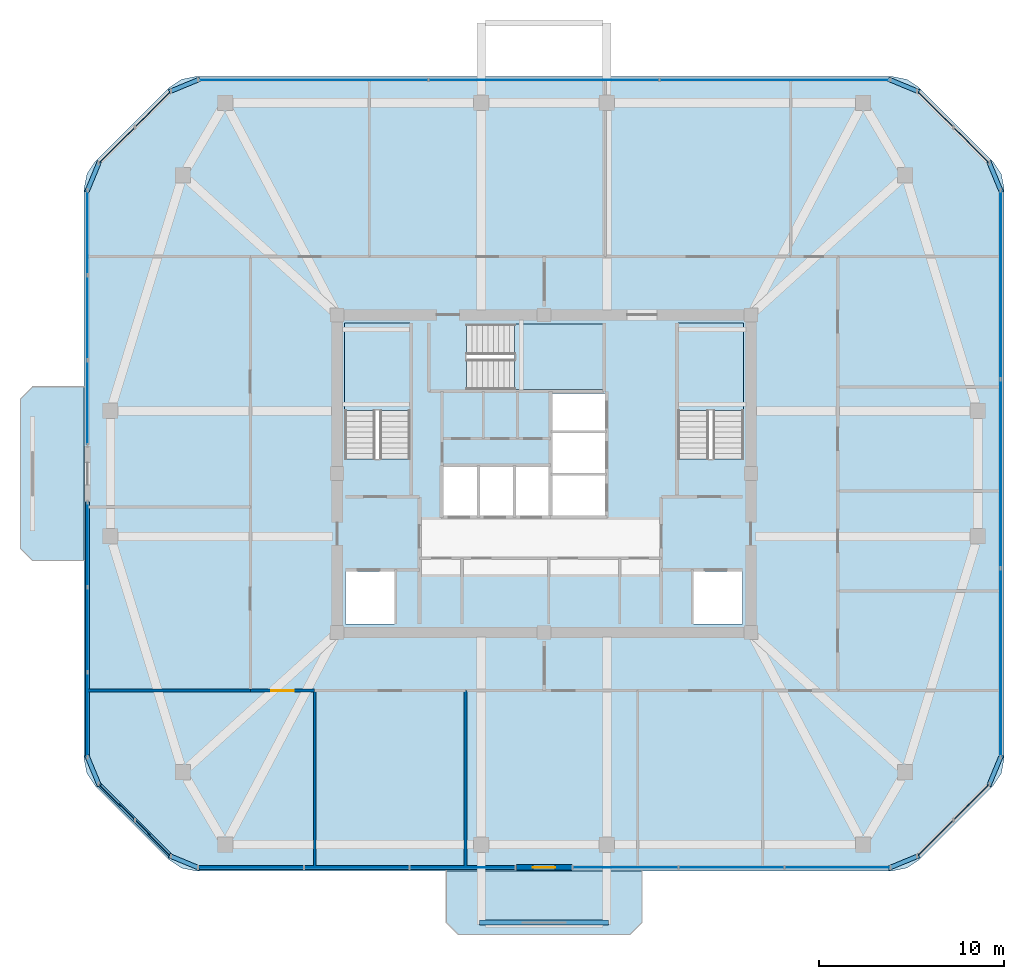
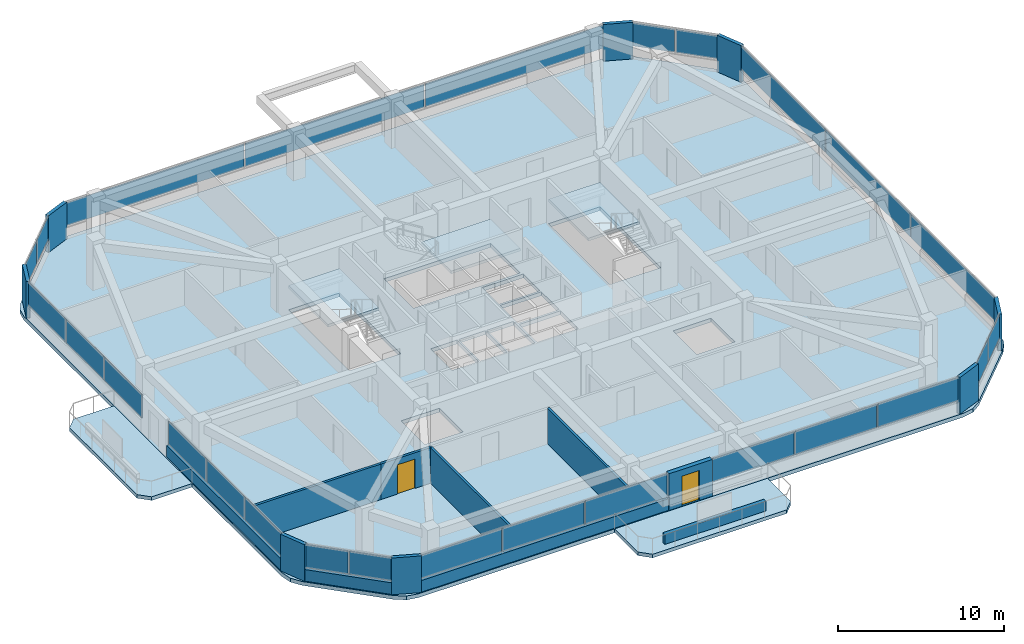
# One storey, part 7 of 12: 34 plates, 9 walls, 6 slabs, 2 doors, 2 openings, 13 elements without a shape of their own.
"""IFC4 building model written with IfcOpenShell, lengths in metres."""

import ifcopenshell
import ifcopenshell.guid

model = None  # the IFC model being written
_history = None  # IfcOwnerHistory: only IFC2X3 demands one
_inside = {}  # id of a spatial element -> (the spatial element, [elements in it])
_under = {}  # id of a project, library or spatial element -> (it, [spatial elements below it])
_declared = {}  # id of a project -> (the project, [libraries it declares])
_typed = {}  # id of a type object -> (the type object, [elements of that type])
_made_of = {}  # id of a material, layer set ... -> (it, [elements and type objects made of it])


def new_model(schema):
    """Start an empty IFC model of exactly this schema.

    Asked for "IFC4X3", IfcOpenShell would pick the latest addendum, in which some entities
    have other attributes; the version numbers below select the first issue.
    IFC2X3 requires an IfcOwnerHistory on every rooted entity: one is made here for all.
    """
    global model, _history
    if schema == "IFC4X3":
        model = ifcopenshell.file(schema_version=(4, 3, 0, 0))
    else:
        model = ifcopenshell.file(schema=schema)
    _inside.clear()
    _under.clear()
    _declared.clear()
    _typed.clear()
    _made_of.clear()
    _history = None
    if model.schema == "IFC2X3":
        org = make("IfcOrganization", Name="unknown")
        user = make(
            "IfcPersonAndOrganization",
            ThePerson=make("IfcPerson", FamilyName="unknown"),
            TheOrganization=org,
        )
        app = make(
            "IfcApplication",
            ApplicationDeveloper=org,
            Version="unknown",
            ApplicationFullName="unknown",
            ApplicationIdentifier="unknown",
        )
        _history = make(
            "IfcOwnerHistory",
            OwningUser=user,
            OwningApplication=app,
            ChangeAction="ADDED",
            CreationDate=0,
        )
    return model


def make(cls, **values):
    """One entity of the class cls with the attributes given. An attribute that is None is left unset."""
    return model.create_entity(
        cls, **{name: value for name, value in values.items() if value is not None}
    )


def rooted(cls, **values):
    """An entity with a GlobalId (a new one), such as an element, a storey or a relation."""
    return make(cls, GlobalId=ifcopenshell.guid.new(), OwnerHistory=_history, **values)


def si_unit(unit_type, name, prefix=None):
    """IfcSIUnit, for example si_unit("LENGTHUNIT", "METRE", prefix="MILLI")."""
    return make("IfcSIUnit", UnitType=unit_type, Prefix=prefix, Name=name)


def derived_unit(unit_type, elements):
    """IfcDerivedUnit: a product of units, each with its exponent."""
    return make(
        "IfcDerivedUnit",
        Elements=[
            make("IfcDerivedUnitElement", Unit=unit, Exponent=power)
            for unit, power in elements
        ],
        UnitType=unit_type,
    )


def assignment(units):
    """IfcUnitAssignment: the units of a project."""
    return None if units is None else make("IfcUnitAssignment", Units=units)


def point(xyz):
    """IfcCartesianPoint."""
    return None if xyz is None else make("IfcCartesianPoint", Coordinates=xyz)


def direction(xyz):
    """IfcDirection."""
    return None if xyz is None else make("IfcDirection", DirectionRatios=xyz)


def frame(location, z_axis=None, x_axis=None):
    """IfcAxis2Placement3D, a coordinate frame: its origin and axes. An axis left out is left unset."""
    return make(
        "IfcAxis2Placement3D",
        Location=point(location),
        Axis=direction(z_axis),
        RefDirection=direction(x_axis),
    )


def frame_2d(location, x_axis=None):
    """IfcAxis2Placement2D, a coordinate frame in the plane: its origin and x axis."""
    return make(
        "IfcAxis2Placement2D", Location=point(location), RefDirection=direction(x_axis)
    )


def origin():
    """The frame at (0, 0, 0) with its axes left unset."""
    return frame((0.0, 0.0, 0.0))


def origin_2d():
    """The frame at (0, 0) in the plane with its x axis left unset."""
    return frame_2d((0.0, 0.0))


def place(relative_to, where):
    """IfcLocalPlacement: puts the frame where relative to a parent placement (None: the world)."""
    return make(
        "IfcLocalPlacement", PlacementRelTo=relative_to, RelativePlacement=where
    )


def context(
    kind, dimensions, precision=None, world=None, true_north=None, identifier=None
):
    """IfcGeometricRepresentationContext, for example the 3D "Model" context."""
    return make(
        "IfcGeometricRepresentationContext",
        ContextIdentifier=identifier,
        ContextType=kind,
        CoordinateSpaceDimension=dimensions,
        Precision=precision,
        WorldCoordinateSystem=world,
        TrueNorth=true_north,
    )


def subcontext(parent, identifier, kind, view, scale=None):
    """IfcGeometricRepresentationSubContext, for example "Body" below "Model"."""
    return make(
        "IfcGeometricRepresentationSubContext",
        ContextIdentifier=identifier,
        ContextType=kind,
        ParentContext=parent,
        TargetScale=scale,
        TargetView=view,
    )


def project(units=None, contexts=None):
    """IfcProject with its units and contexts."""
    return rooted(
        "IfcProject",
        Name="project",
        RepresentationContexts=contexts,
        UnitsInContext=assignment(units),
    )


def spatial(cls, under=None, at=None, **own):
    """A site, building, storey or space (cls), placed at a placement, below another one or the project."""
    s = rooted(cls, ObjectPlacement=at, **own)
    if under is not None:
        _under.setdefault(under.id(), (under, []))[1].append(s)
    return s


def polyline(points):
    """IfcPolyline through the points."""
    return make("IfcPolyline", Points=[point(p) for p in points])


def profile(cls, at=None, kind="AREA", **sizes):
    """A parametric profile (cls). Its sizes go by their IFC names, for example OverallWidth=200.0."""
    return make(cls, ProfileType=kind, Position=at, **sizes)


def rectangle(**sizes):
    """IfcRectangleProfileDef."""
    return profile("IfcRectangleProfileDef", **sizes)


def outline(outer, holes=None, kind="AREA"):
    """IfcArbitraryClosedProfileDef: a profile drawn as a closed curve; with holes, ...WithVoids."""
    if holes is None:
        return make("IfcArbitraryClosedProfileDef", ProfileType=kind, OuterCurve=outer)
    return make(
        "IfcArbitraryProfileDefWithVoids",
        ProfileType=kind,
        OuterCurve=outer,
        InnerCurves=holes,
    )


def extrude(swept, where, along, depth):
    """IfcExtrudedAreaSolid: the profile swept, set in the frame where, extruded along a direction by depth."""
    return make(
        "IfcExtrudedAreaSolid",
        SweptArea=swept,
        Position=where,
        ExtrudedDirection=direction(along),
        Depth=depth,
    )


def shape(context_of_items, identifier, shape_type, items):
    """IfcShapeRepresentation: the items that make up one representation, for example the "Body"."""
    return make(
        "IfcShapeRepresentation",
        ContextOfItems=context_of_items,
        RepresentationIdentifier=identifier,
        RepresentationType=shape_type,
        Items=items,
    )


def material(Name=None, Category=None):
    """IfcMaterial."""
    return make("IfcMaterial", Name=Name, Category=Category)


def layer(
    of_material, thickness, ventilated=None, Name=None, Category=None, Priority=None
):
    """IfcMaterialLayer: one layer of a wall or slab, of a material (None: an air gap)."""
    return make(
        "IfcMaterialLayer",
        Material=of_material,
        LayerThickness=thickness,
        IsVentilated=ventilated,
        Name=Name,
        Category=Category,
        Priority=Priority,
    )


def layer_set(layers, Name=None):
    """IfcMaterialLayerSet."""
    return make("IfcMaterialLayerSet", MaterialLayers=layers, LayerSetName=Name)


def made_of(thing, what):
    """Note that an element or type object is made of a material, layer set ...; save() writes the relation."""
    if what is not None:
        _made_of.setdefault(what.id(), (what, []))[1].append(thing)
    return thing


def type_object(cls, material=None, **own):
    """A type object (cls), such as IfcWallType, which elements share."""
    return made_of(rooted(cls, **own), material)


def element(
    cls,
    number,
    at=None,
    inside=None,
    cuts=None,
    type_object=None,
    material=None,
    context=None,
    identifier="Body",
    shape_type=None,
    held_by="IfcProductDefinitionShape",
    body=None,
    shapes=None,
    **own,
):
    """One element of the class cls, such as IfcWall. Its Tag is "e" and its number.

    at: its placement. inside: the storey or other place that contains it. cuts: it is an
    opening in that element (IfcRelVoidsElement). A single representation is given by context,
    identifier, shape_type and body (its items); several are given by shapes. held_by: the class
    of the entity that holds the representations. save() writes the other relations.
    """
    e = rooted(cls, Tag="e%d" % number, ObjectPlacement=at, **own)
    if body is not None:
        shapes = [shape(context, identifier, shape_type, body)]
    if shapes is not None:
        e.Representation = make(held_by, Representations=shapes)
    if inside is not None:
        _inside.setdefault(inside.id(), (inside, []))[1].append(e)
    if cuts is not None:
        rooted(
            "IfcRelVoidsElement", RelatingBuildingElement=cuts, RelatedOpeningElement=e
        )
    if type_object is not None:
        _typed.setdefault(type_object.id(), (type_object, []))[1].append(e)
    return made_of(e, material)


def fill(opening, filler):
    """IfcRelFillsElement: the door or window that sits in an opening."""
    return rooted(
        "IfcRelFillsElement",
        RelatingOpeningElement=opening,
        RelatedBuildingElement=filler,
    )


def aggregate(whole, parts):
    """IfcRelAggregates: a whole, such as a stair, and the parts it consists of."""
    return rooted("IfcRelAggregates", RelatingObject=whole, RelatedObjects=parts)


def save(model, path):
    """Write the relations noted so far, then the file.

    IfcRelAggregates (storeys below a building ...), IfcRelContainedInSpatialStructure (elements
    in a storey), IfcRelDefinesByType, IfcRelAssociatesMaterial and IfcRelDeclares: one each for
    every whole, place, type object, material and project.
    """
    for whole, parts in _under.values():
        aggregate(whole, parts)
    for where, things in _inside.values():
        rooted(
            "IfcRelContainedInSpatialStructure",
            RelatedElements=things,
            RelatingStructure=where,
        )
    for kind, things in _typed.values():
        rooted("IfcRelDefinesByType", RelatedObjects=things, RelatingType=kind)
    for what, things in _made_of.values():
        rooted("IfcRelAssociatesMaterial", RelatedObjects=things, RelatingMaterial=what)
    for by, libraries in _declared.values():
        rooted("IfcRelDeclares", RelatingContext=by, RelatedDefinitions=libraries)
    model.write(path)


model = new_model("IFC4")

# Units and contexts
model_context = context("Model", 3, precision=1e-05, world=origin(), true_north=direction((0.0, 1.0)))
body_context = subcontext(model_context, "Body", "Model", "MODEL_VIEW")
ifc_project = project(units=[si_unit("LENGTHUNIT", "METRE"), si_unit("AREAUNIT", "SQUARE_METRE"), si_unit("VOLUMEUNIT", "CUBIC_METRE"), si_unit("PLANEANGLEUNIT", "RADIAN"), si_unit("MASSUNIT", "GRAM", prefix="KILO"), derived_unit("THERMALTRANSMITTANCEUNIT", [(si_unit("POWERUNIT", "WATT"), 1), (si_unit("LENGTHUNIT", "METRE"), -2), (si_unit("THERMODYNAMICTEMPERATUREUNIT", "KELVIN"), -1)])], contexts=[model_context])

# Site, building, storey
site_placement = place(None, origin())
site = spatial("IfcSite", under=ifc_project, at=site_placement, CompositionType="ELEMENT")
building_placement = place(site_placement, origin())
building = spatial("IfcBuilding", under=site, at=building_placement, Name="Koralith Skygarden Medical Center", CompositionType="ELEMENT")
storey_placement = place(building_placement, frame((0.0, 0.0, 278.820068359375)))
storey = spatial("IfcBuildingStorey", under=building, at=storey_placement, Name="L72", CompositionType="ELEMENT", Elevation=278.820068359375)

# Curtain wall, plates
ifc_material_1 = material(Name="Clear Laminated Glass", Category="glass")
curtain_wall_type = type_object("IfcCurtainWallType", Name="CW-6 Zone 5 Upper Clinical Curtain Wall", PredefinedType="NOTDEFINED", material=ifc_material_1)
curtain_wall_1_placement = place(storey_placement, origin())
curtain_wall_1 = element("IfcCurtainWall", 1, at=curtain_wall_1_placement, inside=storey, type_object=curtain_wall_type, Name="Curtain Wall CW-L72-S-L", PredefinedType="NOTDEFINED")
ifc_layer_1 = layer(ifc_material_1, 0.0400390625)
ifc_layer_set_1 = layer_set([ifc_layer_1], Name="Clear Laminated Glass")
plate_type_1 = type_object("IfcPlateType", Name="CW-6 Hurricane Laminated IGU Panel 40", PredefinedType="CURTAIN_PANEL", material=ifc_layer_set_1)
plate_1_placement = place(storey_placement, frame((21.1220703125, 4.580078125, 0.919921875), z_axis=(0.0, 0.0, 1.0), x_axis=(1.0, 0.0, 0.0)))
plate_1 = element("IfcPlate", 2, at=plate_1_placement, type_object=plate_type_1, Name="CW-L72-S-L Glazed Panel 1", PredefinedType="CURTAIN_PANEL", context=body_context, shape_type="SweptSolid", body=[
    extrude(rectangle(XDim=5.64501953125, YDim=0.0400390625, at=origin_2d()), origin(), (0.0, 0.0, 1.0), 1.699951171875),
])
plate_2_placement = place(storey_placement, frame((26.85693359375, 4.580078125, 0.919921875), z_axis=(0.0, 0.0, 1.0), x_axis=(1.0, 0.0, 0.0)))
plate_2 = element("IfcPlate", 3, at=plate_2_placement, type_object=plate_type_1, Name="CW-L72-S-L Glazed Panel 2", PredefinedType="CURTAIN_PANEL", context=body_context, shape_type="SweptSolid", body=[
    extrude(rectangle(XDim=5.64501953125, YDim=0.0400390625, at=origin_2d()), origin(), (0.0, 0.0, 1.0), 1.699951171875),
])
plate_3_placement = place(storey_placement, frame((32.592041015625, 4.580078125, 0.919921875), z_axis=(0.0, 0.0, 1.0), x_axis=(1.0, 0.0, 0.0)))
plate_3 = element("IfcPlate", 4, at=plate_3_placement, type_object=plate_type_1, Name="CW-L72-S-L Glazed Panel 3", PredefinedType="CURTAIN_PANEL", context=body_context, shape_type="SweptSolid", body=[
    extrude(rectangle(XDim=5.64501953125, YDim=0.0400390625, at=origin_2d()), origin(), (0.0, 0.0, 1.0), 1.699951171875),
])
aggregate(curtain_wall_1, [plate_1, plate_2, plate_3])

curtain_wall_2_placement = place(storey_placement, origin())
curtain_wall_2 = element("IfcCurtainWall", 5, at=curtain_wall_2_placement, inside=storey, type_object=curtain_wall_type, Name="Curtain Wall CW-L72-S-R", PredefinedType="NOTDEFINED")
plate_4_placement = place(storey_placement, frame((41.406982421875, 4.580078125, 0.919921875), z_axis=(0.0, 0.0, 1.0), x_axis=(1.0, 0.0, 0.0)))
plate_4 = element("IfcPlate", 6, at=plate_4_placement, type_object=plate_type_1, Name="CW-L72-S-R Glazed Panel 1", PredefinedType="CURTAIN_PANEL", context=body_context, shape_type="SweptSolid", body=[
    extrude(rectangle(XDim=5.64501953125, YDim=0.0400390625, at=origin_2d()), origin(), (0.0, 0.0, 1.0), 1.699951171875),
])
plate_5_placement = place(storey_placement, frame((47.14208984375, 4.580078125, 0.919921875), z_axis=(0.0, 0.0, 1.0), x_axis=(1.0, 0.0, 0.0)))
plate_5 = element("IfcPlate", 7, at=plate_5_placement, type_object=plate_type_1, Name="CW-L72-S-R Glazed Panel 2", PredefinedType="CURTAIN_PANEL", context=body_context, shape_type="SweptSolid", body=[
    extrude(rectangle(XDim=5.64501953125, YDim=0.0400390625, at=origin_2d()), origin(), (0.0, 0.0, 1.0), 1.699951171875),
])
plate_6_placement = place(storey_placement, frame((52.876953125, 4.580078125, 0.919921875), z_axis=(0.0, 0.0, 1.0), x_axis=(1.0, 0.0, 0.0)))
plate_6 = element("IfcPlate", 8, at=plate_6_placement, type_object=plate_type_1, Name="CW-L72-S-R Glazed Panel 3", PredefinedType="CURTAIN_PANEL", context=body_context, shape_type="SweptSolid", body=[
    extrude(rectangle(XDim=5.64501953125, YDim=0.0400390625, at=origin_2d()), origin(), (0.0, 0.0, 1.0), 1.699951171875),
])
aggregate(curtain_wall_2, [plate_4, plate_5, plate_6])

curtain_wall_3_placement = place(storey_placement, origin())
curtain_wall_3 = element("IfcCurtainWall", 9, at=curtain_wall_3_placement, inside=storey, type_object=curtain_wall_type, Name="Curtain Wall CW-L72-SE", PredefinedType="NOTDEFINED")
plate_7_placement = place(storey_placement, frame((58.177001953125, 6.162109375, 0.919921875), z_axis=(0.0, 0.0, 1.0), x_axis=(0.707106781187, 0.707106781187, 0.0)))
plate_7 = element("IfcPlate", 10, at=plate_7_placement, type_object=plate_type_1, Name="CW-L72-SE Glazed Panel 1", PredefinedType="CURTAIN_PANEL", context=body_context, shape_type="SweptSolid", body=[
    extrude(rectangle(XDim=2.68408203125, YDim=0.0400390625, at=origin_2d()), origin(), (0.0, 0.0, 1.0), 1.699951171875),
])
plate_8_placement = place(storey_placement, frame((60.137939453125, 8.123046875, 0.919921875), z_axis=(0.0, 0.0, 1.0), x_axis=(0.707106781187, 0.707106781187, 0.0)))
plate_8 = element("IfcPlate", 11, at=plate_8_placement, type_object=plate_type_1, Name="CW-L72-SE Glazed Panel 2", PredefinedType="CURTAIN_PANEL", context=body_context, shape_type="SweptSolid", body=[
    extrude(rectangle(XDim=2.68408203125, YDim=0.0400390625, at=origin_2d()), origin(), (0.0, 0.0, 1.0), 1.699951171875),
])
aggregate(curtain_wall_3, [plate_7, plate_8])

curtain_wall_4_placement = place(storey_placement, origin())
curtain_wall_4 = element("IfcCurtainWall", 12, at=curtain_wall_4_placement, inside=storey, type_object=curtain_wall_type, Name="Curtain Wall CW-L72-E", PredefinedType="NOTDEFINED")
plate_9_placement = place(storey_placement, frame((61.719970703125, 15.669921875, 0.919921875), z_axis=(0.0, 0.0, 1.0), x_axis=(0.0, 1.0, 0.0)))
plate_9 = element("IfcPlate", 13, at=plate_9_placement, type_object=plate_type_1, Name="CW-L72-E Glazed Panel 1", PredefinedType="CURTAIN_PANEL", context=body_context, shape_type="SweptSolid", body=[
    extrude(rectangle(XDim=10.139892578125, YDim=0.0400390625, at=origin_2d()), origin(), (0.0, 0.0, 1.0), 1.699951171875),
])
plate_10_placement = place(storey_placement, frame((61.719970703125, 25.89990234375, 0.919921875), z_axis=(0.0, 0.0, 1.0), x_axis=(0.0, 1.0, 0.0)))
plate_10 = element("IfcPlate", 14, at=plate_10_placement, type_object=plate_type_1, Name="CW-L72-E Glazed Panel 2", PredefinedType="CURTAIN_PANEL", context=body_context, shape_type="SweptSolid", body=[
    extrude(rectangle(XDim=10.139892578125, YDim=0.0400390625, at=origin_2d()), origin(), (0.0, 0.0, 1.0), 1.699951171875),
])
plate_11_placement = place(storey_placement, frame((61.719970703125, 36.1298828125, 0.919921875), z_axis=(0.0, 0.0, 1.0), x_axis=(0.0, 1.0, 0.0)))
plate_11 = element("IfcPlate", 15, at=plate_11_placement, type_object=plate_type_1, Name="CW-L72-E Glazed Panel 3", PredefinedType="CURTAIN_PANEL", context=body_context, shape_type="SweptSolid", body=[
    extrude(rectangle(XDim=10.139892578125, YDim=0.0400390625, at=origin_2d()), origin(), (0.0, 0.0, 1.0), 1.699951171875),
])
aggregate(curtain_wall_4, [plate_9, plate_10, plate_11])

curtain_wall_5_placement = place(storey_placement, origin())
curtain_wall_5 = element("IfcCurtainWall", 16, at=curtain_wall_5_placement, inside=storey, type_object=curtain_wall_type, Name="Curtain Wall CW-L72-NE", PredefinedType="NOTDEFINED")
plate_12_placement = place(storey_placement, frame((60.137939453125, 43.677001953125, 0.919921875), z_axis=(0.0, 0.0, 1.0), x_axis=(-0.707106781187, 0.707106781187, 0.0)))
plate_12 = element("IfcPlate", 17, at=plate_12_placement, type_object=plate_type_1, Name="CW-L72-NE Glazed Panel 1", PredefinedType="CURTAIN_PANEL", context=body_context, shape_type="SweptSolid", body=[
    extrude(rectangle(XDim=2.68408203125, YDim=0.0400390625, at=origin_2d()), origin(), (0.0, 0.0, 1.0), 1.699951171875),
])
plate_13_placement = place(storey_placement, frame((58.177001953125, 45.637939453125, 0.919921875), z_axis=(0.0, 0.0, 1.0), x_axis=(-0.707106781187, 0.707106781187, 0.0)))
plate_13 = element("IfcPlate", 18, at=plate_13_placement, type_object=plate_type_1, Name="CW-L72-NE Glazed Panel 2", PredefinedType="CURTAIN_PANEL", context=body_context, shape_type="SweptSolid", body=[
    extrude(rectangle(XDim=2.68408203125, YDim=0.0400390625, at=origin_2d()), origin(), (0.0, 0.0, 1.0), 1.699951171875),
])
aggregate(curtain_wall_5, [plate_12, plate_13])

curtain_wall_6_placement = place(storey_placement, origin())
curtain_wall_6 = element("IfcCurtainWall", 19, at=curtain_wall_6_placement, inside=storey, type_object=curtain_wall_type, Name="Curtain Wall CW-L72-N", PredefinedType="NOTDEFINED")
plate_14_placement = place(storey_placement, frame((49.4970703125, 47.219970703125, 0.919921875), z_axis=(0.0, 0.0, 1.0), x_axis=(-1.0, 0.0, 0.0)))
plate_14 = element("IfcPlate", 20, at=plate_14_placement, type_object=plate_type_1, Name="CW-L72-N Glazed Panel 1", PredefinedType="CURTAIN_PANEL", context=body_context, shape_type="SweptSolid", body=[
    extrude(rectangle(XDim=12.406982421875, YDim=0.0400390625, at=origin_2d()), origin(), (0.0, 0.0, 1.0), 1.699951171875),
])
plate_15_placement = place(storey_placement, frame((37.0, 47.219970703125, 0.919921875), z_axis=(0.0, 0.0, 1.0), x_axis=(-1.0, 0.0, 0.0)))
plate_15 = element("IfcPlate", 21, at=plate_15_placement, type_object=plate_type_1, Name="CW-L72-N Glazed Panel 2", PredefinedType="CURTAIN_PANEL", context=body_context, shape_type="SweptSolid", body=[
    extrude(rectangle(XDim=12.406982421875, YDim=0.0400390625, at=origin_2d()), origin(), (0.0, 0.0, 1.0), 1.699951171875),
])
plate_16_placement = place(storey_placement, frame((24.5029296875, 47.219970703125, 0.919921875), z_axis=(0.0, 0.0, 1.0), x_axis=(-1.0, 0.0, 0.0)))
plate_16 = element("IfcPlate", 22, at=plate_16_placement, type_object=plate_type_1, Name="CW-L72-N Glazed Panel 3", PredefinedType="CURTAIN_PANEL", context=body_context, shape_type="SweptSolid", body=[
    extrude(rectangle(XDim=12.406982421875, YDim=0.0400390625, at=origin_2d()), origin(), (0.0, 0.0, 1.0), 1.699951171875),
])
aggregate(curtain_wall_6, [plate_14, plate_15, plate_16])

curtain_wall_7_placement = place(storey_placement, origin())
curtain_wall_7 = element("IfcCurtainWall", 23, at=curtain_wall_7_placement, inside=storey, type_object=curtain_wall_type, Name="Curtain Wall CW-L72-NW", PredefinedType="NOTDEFINED")
plate_17_placement = place(storey_placement, frame((15.822998046875, 45.637939453125, 0.919921875), z_axis=(0.0, 0.0, 1.0), x_axis=(-0.707106781187, -0.707106781187, 0.0)))
plate_17 = element("IfcPlate", 24, at=plate_17_placement, type_object=plate_type_1, Name="CW-L72-NW Glazed Panel 1", PredefinedType="CURTAIN_PANEL", context=body_context, shape_type="SweptSolid", body=[
    extrude(rectangle(XDim=2.68408203125, YDim=0.0400390625, at=origin_2d()), origin(), (0.0, 0.0, 1.0), 1.699951171875),
])
plate_18_placement = place(storey_placement, frame((13.862060546875, 43.677001953125, 0.919921875), z_axis=(0.0, 0.0, 1.0), x_axis=(-0.707106781187, -0.707106781187, 0.0)))
plate_18 = element("IfcPlate", 25, at=plate_18_placement, type_object=plate_type_1, Name="CW-L72-NW Glazed Panel 2", PredefinedType="CURTAIN_PANEL", context=body_context, shape_type="SweptSolid", body=[
    extrude(rectangle(XDim=2.68408203125, YDim=0.0400390625, at=origin_2d()), origin(), (0.0, 0.0, 1.0), 1.699951171875),
])
aggregate(curtain_wall_7, [plate_17, plate_18])

curtain_wall_8_placement = place(storey_placement, origin())
curtain_wall_8 = element("IfcCurtainWall", 26, at=curtain_wall_8_placement, inside=storey, type_object=curtain_wall_type, Name="Curtain Wall CW-L72-W-L", PredefinedType="NOTDEFINED")
plate_19_placement = place(storey_placement, frame((12.280029296875, 38.944091796875, 0.919921875), z_axis=(0.0, 0.0, 1.0), x_axis=(0.0, -1.0, 0.0)))
plate_19 = element("IfcPlate", 27, at=plate_19_placement, type_object=plate_type_1, Name="CW-L72-W-L Glazed Panel 1", PredefinedType="CURTAIN_PANEL", context=body_context, shape_type="SweptSolid", body=[
    extrude(rectangle(XDim=4.511962890625, YDim=0.0400390625, at=origin_2d()), origin(), (0.0, 0.0, 1.0), 1.699951171875),
])
plate_20_placement = place(storey_placement, frame((12.280029296875, 34.343017578125, 0.919921875), z_axis=(0.0, 0.0, 1.0), x_axis=(0.0, -1.0, 0.0)))
plate_20 = element("IfcPlate", 28, at=plate_20_placement, type_object=plate_type_1, Name="CW-L72-W-L Glazed Panel 2", PredefinedType="CURTAIN_PANEL", context=body_context, shape_type="SweptSolid", body=[
    extrude(rectangle(XDim=4.511962890625, YDim=0.0400390625, at=origin_2d()), origin(), (0.0, 0.0, 1.0), 1.699951171875),
])
plate_21_placement = place(storey_placement, frame((12.280029296875, 29.740966796875, 0.919921875), z_axis=(0.0, 0.0, 1.0), x_axis=(0.0, -1.0, 0.0)))
plate_21 = element("IfcPlate", 29, at=plate_21_placement, type_object=plate_type_1, Name="CW-L72-W-L Glazed Panel 3", PredefinedType="CURTAIN_PANEL", context=body_context, shape_type="SweptSolid", body=[
    extrude(rectangle(XDim=4.511962890625, YDim=0.0400390625, at=origin_2d()), origin(), (0.0, 0.0, 1.0), 1.699951171875),
])
aggregate(curtain_wall_8, [plate_19, plate_20, plate_21])

curtain_wall_9_placement = place(storey_placement, origin())
curtain_wall_9 = element("IfcCurtainWall", 30, at=curtain_wall_9_placement, inside=storey, type_object=curtain_wall_type, Name="Curtain Wall CW-L72-W-R", PredefinedType="NOTDEFINED")
plate_22_placement = place(storey_placement, frame((12.280029296875, 22.05908203125, 0.919921875), z_axis=(0.0, 0.0, 1.0), x_axis=(0.0, -1.0, 0.0)))
plate_22 = element("IfcPlate", 31, at=plate_22_placement, type_object=plate_type_1, Name="CW-L72-W-R Glazed Panel 1", PredefinedType="CURTAIN_PANEL", context=body_context, shape_type="SweptSolid", body=[
    extrude(rectangle(XDim=4.511962890625, YDim=0.0400390625, at=origin_2d()), origin(), (0.0, 0.0, 1.0), 1.699951171875),
])
plate_23_placement = place(storey_placement, frame((12.280029296875, 17.45703125, 0.919921875), z_axis=(0.0, 0.0, 1.0), x_axis=(0.0, -1.0, 0.0)))
plate_23 = element("IfcPlate", 32, at=plate_23_placement, type_object=plate_type_1, Name="CW-L72-W-R Glazed Panel 2", PredefinedType="CURTAIN_PANEL", context=body_context, shape_type="SweptSolid", body=[
    extrude(rectangle(XDim=4.511962890625, YDim=0.0400390625, at=origin_2d()), origin(), (0.0, 0.0, 1.0), 1.699951171875),
])
plate_24_placement = place(storey_placement, frame((12.280029296875, 12.85595703125, 0.919921875), z_axis=(0.0, 0.0, 1.0), x_axis=(0.0, -1.0, 0.0)))
plate_24 = element("IfcPlate", 33, at=plate_24_placement, type_object=plate_type_1, Name="CW-L72-W-R Glazed Panel 3", PredefinedType="CURTAIN_PANEL", context=body_context, shape_type="SweptSolid", body=[
    extrude(rectangle(XDim=4.511962890625, YDim=0.0400390625, at=origin_2d()), origin(), (0.0, 0.0, 1.0), 1.699951171875),
])
aggregate(curtain_wall_9, [plate_22, plate_23, plate_24])

curtain_wall_10_placement = place(storey_placement, origin())
curtain_wall_10 = element("IfcCurtainWall", 34, at=curtain_wall_10_placement, inside=storey, type_object=curtain_wall_type, Name="Curtain Wall CW-L72-SW", PredefinedType="NOTDEFINED")
plate_25_placement = place(storey_placement, frame((13.862060546875, 8.123046875, 0.919921875), z_axis=(0.0, 0.0, 1.0), x_axis=(0.707106781187, -0.707106781187, 0.0)))
plate_25 = element("IfcPlate", 35, at=plate_25_placement, type_object=plate_type_1, Name="CW-L72-SW Glazed Panel 1", PredefinedType="CURTAIN_PANEL", context=body_context, shape_type="SweptSolid", body=[
    extrude(rectangle(XDim=2.68408203125, YDim=0.0400390625, at=origin_2d()), origin(), (0.0, 0.0, 1.0), 1.699951171875),
])
plate_26_placement = place(storey_placement, frame((15.822998046875, 6.162109375, 0.919921875), z_axis=(0.0, 0.0, 1.0), x_axis=(0.707106781187, -0.707106781187, 0.0)))
plate_26 = element("IfcPlate", 36, at=plate_26_placement, type_object=plate_type_1, Name="CW-L72-SW Glazed Panel 2", PredefinedType="CURTAIN_PANEL", context=body_context, shape_type="SweptSolid", body=[
    extrude(rectangle(XDim=2.68408203125, YDim=0.0400390625, at=origin_2d()), origin(), (0.0, 0.0, 1.0), 1.699951171875),
])
aggregate(curtain_wall_10, [plate_25, plate_26])

# Slabs
ifc_material_2 = material(Name="Concrete C45/55", Category="concrete")
ifc_layer_2 = layer(ifc_material_2, 0.260009765625)
ifc_layer_set_2 = layer_set([ifc_layer_2], Name="Concrete C45/55")
slab_type_1 = type_object("IfcSlabType", Name="Cantilevered Planted Balcony Slab 260", PredefinedType="FLOOR", material=ifc_layer_set_2)
slab_1_placement = place(storey_placement, frame((0.0, 0.0, -0.260009765625)))
element("IfcSlab", 37, at=slab_1_placement, inside=storey, type_object=slab_type_1, Name="L72 S Planted Sky-Garden Balcony Slab", PredefinedType="FLOOR", context=body_context, shape_type="SweptSolid", body=[
    extrude(outline(polyline([(32.35009765625, 0.949951171875), (41.64990234375, 0.949951171875), (42.300048828125, 1.60009765625), (42.300048828125, 4.39990234375), (31.699951171875, 4.39990234375), (31.699951171875, 1.60009765625), (32.35009765625, 0.949951171875)])), origin(), (0.0, 0.0, 1.0), 0.260009765625),
])
slab_2_placement = place(storey_placement, frame((0.0, 0.0, -0.260009765625)))
element("IfcSlab", 38, at=slab_2_placement, inside=storey, type_object=slab_type_1, Name="L72 W Planted Sky-Garden Balcony Slab", PredefinedType="FLOOR", context=body_context, shape_type="SweptSolid", body=[
    extrude(outline(polyline([(9.300048828125, 21.199951171875), (12.10009765625, 21.199951171875), (12.10009765625, 30.60009765625), (9.300048828125, 30.60009765625), (8.64990234375, 29.949951171875), (8.64990234375, 21.85009765625), (9.300048828125, 21.199951171875)])), origin(), (0.0, 0.0, 1.0), 0.260009765625),
])

# Stair, slab
stair_type = type_object("IfcStairType", Name="Core Exit Dogleg Concrete Stair", PredefinedType="HALF_TURN_STAIR", material=ifc_material_2)
stair_1_placement = place(storey_placement, origin())
stair_1 = element("IfcStair", 39, at=stair_1_placement, inside=storey, type_object=stair_type, Name="L72 Smokeproof Exit Stair ST1", PredefinedType="HALF_TURN_STAIR")
ifc_layer_3 = layer(ifc_material_2, 0.199951171875)
ifc_layer_set_3 = layer_set([ifc_layer_3], Name="Concrete C45/55")
slab_type_2 = type_object("IfcSlabType", Name="Core Exit Concrete Stair Landing 200", PredefinedType="LANDING", material=ifc_layer_set_3)
slab_3_placement = place(storey_placement, frame((0.0, 0.0, 1.599853515625)))
slab_3 = element("IfcSlab", 40, at=slab_3_placement, type_object=slab_type_2, Name="ST1 landing 1", PredefinedType="LANDING", context=body_context, shape_type="SweptSolid", body=[
    extrude(outline(polyline([(29.75, 29.31005859375), (29.75, 34.050048828125), (26.199951171875, 34.050048828125), (26.199951171875, 29.31005859375), (29.75, 29.31005859375)])), origin(), (0.0, 0.0, 1.0), 0.2001953125),
])
aggregate(stair_1, [slab_3])

stair_2_placement = place(storey_placement, origin())
stair_2 = element("IfcStair", 41, at=stair_2_placement, inside=storey, type_object=stair_type, Name="L72 Smokeproof Exit Stair ST2", PredefinedType="HALF_TURN_STAIR")
slab_4_placement = place(storey_placement, frame((0.0, 0.0, 1.599853515625)))
slab_4 = element("IfcSlab", 42, at=slab_4_placement, type_object=slab_type_2, Name="ST2 landing 1", PredefinedType="LANDING", context=body_context, shape_type="SweptSolid", body=[
    extrude(outline(polyline([(47.800048828125, 29.31005859375), (47.800048828125, 34.050048828125), (44.25, 34.050048828125), (44.25, 29.31005859375), (47.800048828125, 29.31005859375)])), origin(), (0.0, 0.0, 1.0), 0.2001953125),
])
aggregate(stair_2, [slab_4])

stair_3_placement = place(storey_placement, origin())
stair_3 = element("IfcStair", 43, at=stair_3_placement, inside=storey, type_object=stair_type, Name="L72 Smokeproof Exit Stair ST3", PredefinedType="HALF_TURN_STAIR")
slab_5_placement = place(storey_placement, frame((0.0, 0.0, 1.599853515625)))
slab_5 = element("IfcSlab", 44, at=slab_5_placement, type_object=slab_type_2, Name="ST3 landing 1", PredefinedType="LANDING", context=body_context, shape_type="SweptSolid", body=[
    extrude(outline(polyline([(35.409912109375, 30.449951171875), (40.199951171875, 30.449951171875), (40.199951171875, 34.0), (35.409912109375, 34.0), (35.409912109375, 30.449951171875)])), origin(), (0.0, 0.0, 1.0), 0.2001953125),
])
aggregate(stair_3, [slab_5])

# Slab
ifc_layer_4 = layer(ifc_material_2, 0.280029296875)
ifc_layer_set_4 = layer_set([ifc_layer_4], Name="Concrete C45/55")
slab_type_3 = type_object("IfcSlabType", Name="Post-Tensioned Ward Floor Plate 280", PredefinedType="FLOOR", material=ifc_layer_set_4)
slab_6_placement = place(storey_placement, frame((0.0, 0.0, -0.280029296875)))
element("IfcSlab", 45, at=slab_6_placement, inside=storey, type_object=slab_type_3, Name="Level L72 Structural Floor Slab", PredefinedType="FLOOR", context=body_context, shape_type="SweptSolid", body=[
    extrude(outline(polyline([(16.714111328125, 4.986083984375), (17.363037109375, 4.552001953125), (18.1279296875, 4.39990234375), (55.8720703125, 4.39990234375), (56.636962890625, 4.552001953125), (57.285888671875, 4.986083984375), (61.31396484375, 9.013916015625), (61.748046875, 9.6630859375), (61.89990234375, 10.427978515625), (61.89990234375, 41.3720703125), (61.748046875, 42.136962890625), (61.31396484375, 42.785888671875), (57.285888671875, 46.81396484375), (56.636962890625, 47.248046875), (55.8720703125, 47.39990234375), (18.1279296875, 47.39990234375), (17.363037109375, 47.248046875), (16.714111328125, 46.81396484375), (12.68603515625, 42.785888671875), (12.251953125, 42.136962890625), (12.10009765625, 41.3720703125), (12.10009765625, 10.427978515625), (12.251953125, 9.6630859375), (12.68603515625, 9.013916015625), (16.714111328125, 4.986083984375)]), holes=[polyline([(26.199951171875, 26.705078125), (29.75, 26.705078125), (29.75, 34.050048828125), (26.199951171875, 34.050048828125), (26.199951171875, 26.705078125)]), polyline([(44.25, 26.705078125), (47.800048828125, 26.705078125), (47.800048828125, 34.050048828125), (44.25, 34.050048828125), (44.25, 26.705078125)]), polyline([(32.804931640625, 30.449951171875), (40.199951171875, 30.449951171875), (40.199951171875, 34.0), (32.804931640625, 34.0), (32.804931640625, 30.449951171875)]), polyline([(26.25, 17.75), (28.89990234375, 17.75), (28.89990234375, 20.60009765625), (26.25, 20.60009765625), (26.25, 17.75)]), polyline([(45.10009765625, 17.75), (47.75, 17.75), (47.75, 20.60009765625), (45.10009765625, 20.60009765625), (45.10009765625, 17.75)]), polyline([(31.550048828125, 23.64990234375), (33.39990234375, 23.64990234375), (33.39990234375, 26.25), (31.550048828125, 26.25), (31.550048828125, 23.64990234375)]), polyline([(33.5, 23.64990234375), (35.35009765625, 23.64990234375), (35.35009765625, 26.25), (33.5, 26.25), (33.5, 23.64990234375)]), polyline([(35.449951171875, 23.64990234375), (37.300048828125, 23.64990234375), (37.300048828125, 26.25), (35.449951171875, 26.25), (35.449951171875, 23.64990234375)]), polyline([(37.449951171875, 23.64990234375), (40.300048828125, 23.64990234375), (40.300048828125, 25.800048828125), (37.449951171875, 25.800048828125), (37.449951171875, 23.64990234375)]), polyline([(37.449951171875, 25.949951171875), (40.300048828125, 25.949951171875), (40.300048828125, 28.10009765625), (37.449951171875, 28.10009765625), (37.449951171875, 25.949951171875)]), polyline([(37.449951171875, 28.25), (40.300048828125, 28.25), (40.300048828125, 30.25), (37.449951171875, 30.25), (37.449951171875, 28.25)])]), origin(), (0.0, 0.0, 1.0), 0.280029296875),
])

# Plates
ifc_material_3 = material(Name="Warm Oolitic Limestone Cladding", Category="masonry")
ifc_layer_5 = layer(ifc_material_3, 0.239990234375)
ifc_layer_set_5 = layer_set([ifc_layer_5], Name="Warm Oolitic Limestone Cladding")
plate_type_2 = type_object("IfcPlateType", Name="Rounded-Corner Oolitic Limestone Cladding Panel 240", PredefinedType="USERDEFINED", material=ifc_layer_set_5)
for number, where, z_axis, x_axis, name in (
    (46, (56.470947265625, 4.8798828125, 0.0), (0.0, 0.0, 1.0), (0.92388487569, 0.382670532536, 0.0), "L72 Rounded-Corner Limestone Pier 1"),
    (47, (61.4189453125, 9.8291015625, 0.0), (0.0, 0.0, 1.0), (0.382670532536, 0.92388487569, 0.0), "L72 Rounded-Corner Limestone Pier 2"),
    (48, (61.4189453125, 41.970947265625, 0.0), (0.0, 0.0, 1.0), (-0.382670532536, 0.92388487569, 0.0), "L72 Rounded-Corner Limestone Pier 3"),
    (49, (56.470947265625, 46.9189453125, 0.0), (0.0, 0.0, 1.0), (-0.92388487569, 0.382670532536, 0.0), "L72 Rounded-Corner Limestone Pier 4"),
    (50, (17.529052734375, 46.9189453125, 0.0), (0.0, 0.0, 1.0), (-0.92388487569, -0.382670532536, 0.0), "L72 Rounded-Corner Limestone Pier 5"),
    (51, (12.5810546875, 41.970947265625, 0.0), (0.0, 0.0, 1.0), (-0.382670532536, -0.92388487569, 0.0), "L72 Rounded-Corner Limestone Pier 6"),
    (52, (12.5810546875, 9.8291015625, 0.0), (0.0, 0.0, 1.0), (0.382670532536, -0.92388487569, 0.0), "L72 Rounded-Corner Limestone Pier 7"),
    (53, (17.529052734375, 4.8798828125, 0.0), (0.0, 0.0, 1.0), (0.92388487569, -0.382670532536, 0.0), "L72 Rounded-Corner Limestone Pier 8"),
):
    element("IfcPlate", number, at=place(storey_placement, frame(where, z_axis=z_axis, x_axis=x_axis)), inside=storey, type_object=plate_type_2, Name=name, ObjectType="LIMESTONE CLADDING", PredefinedType="USERDEFINED", context=body_context, shape_type="SweptSolid", body=[
        extrude(rectangle(XDim=1.81103515625, YDim=0.239990234375, at=origin_2d()), origin(), (0.0, 0.0, 1.0), 2.68994140625),
    ])

# Walls
ifc_material_4 = material(Name="Gypsum Board Partition")
ifc_layer_6 = layer(ifc_material_4, 0.14990234375)
ifc_layer_set_6 = layer_set([ifc_layer_6], Name="Gypsum Board Partition")
wall_type_1 = type_object("IfcWallType", Name="Clinical Acoustic Partition 150", PredefinedType="PARTITIONING", material=ifc_layer_set_6)
for number, where, z_axis, x_axis, name in (
    (54, (24.58203125, 14.14990234375, 0.0), (0.0, 0.0, 1.0), (0.0, -1.0, 0.0), "L72 Clinical Acoustic Partition 150 W-PART-L72-S-01"),
    (55, (32.738037109375, 14.14990234375, 0.0), (0.0, 0.0, 1.0), (0.0, -1.0, 0.0), "L72 Clinical Acoustic Partition 150 W-PART-L72-S-02"),
):
    element("IfcWall", number, at=place(storey_placement, frame(where, z_axis=z_axis, x_axis=x_axis)), inside=storey, type_object=wall_type_1, Name=name, PredefinedType="PARTITIONING", context=body_context, shape_type="SweptSolid", body=[
        extrude(rectangle(XDim=9.5498046875, YDim=0.14990234375, at=frame_2d((4.77490234375, 0.0))), origin(), (0.0, 0.0, 1.0), 2.60986328125),
    ])
ifc_layer_7 = layer(ifc_material_4, 0.1650390625)
ifc_layer_set_7 = layer_set([ifc_layer_7], Name="Gypsum Board Partition")
wall_type_2 = type_object("IfcWallType", Name="Clinical Corridor Partition 165", PredefinedType="PARTITIONING", material=ifc_layer_set_7)
wall_1_placement = place(storey_placement, frame((12.300048828125, 14.14990234375, 0.0), z_axis=(0.0, 0.0, 1.0), x_axis=(1.0, 0.0, 0.0)))
element("IfcWall", 56, at=wall_1_placement, inside=storey, type_object=wall_type_2, Name="L72 Clinical Corridor Partition 165 W-WB-L72-SW", PredefinedType="PARTITIONING", context=body_context, shape_type="SweptSolid", body=[
    extrude(rectangle(XDim=8.800048828125, YDim=0.1650390625, at=frame_2d((4.39990234375, 0.0))), origin(), (0.0, 0.0, 1.0), 2.60986328125),
])

# Wall, opening, door
wall_2_placement = place(storey_placement, frame((21.10009765625, 14.14990234375, 0.0), z_axis=(0.0, 0.0, 1.0), x_axis=(1.0, 0.0, 0.0)))
wall_2 = element("IfcWall", 57, at=wall_2_placement, inside=storey, type_object=wall_type_2, Name="L72 Clinical Corridor Partition 165 W-CORR-L72-S-01", PredefinedType="PARTITIONING", context=body_context, shape_type="SweptSolid", body=[
    extrude(rectangle(XDim=3.48193359375, YDim=0.1650390625, at=frame_2d((1.740966796875, 0.0))), origin(), (0.0, 0.0, 1.0), 2.60986328125),
])
opening_1_placement = place(wall_2_placement, frame((1.14111328125, 0.0, 0.0)))
opening_1 = element("IfcOpeningElement", 58, at=opening_1_placement, cuts=wall_2, Name="Opening D-CLN", PredefinedType="OPENING", context=body_context, shape_type="SweptSolid", body=[
    extrude(rectangle(XDim=1.199951171875, YDim=2.14990234375, at=frame_2d((0.60009765625, 1.074951171875))), frame((0.0, 0.092529296875, 0.0), z_axis=(0.0, -1.0, 0.0), x_axis=(1.0, 0.0, 0.0)), (0.0, 0.0, 1.0), 0.18505859375),
])
ifc_material_5 = material(Name="Aluminium 6063-T6", Category="aluminium")
door_type_1 = type_object("IfcDoorType", Name="Clinical Corridor Door D-CLN 1200", OperationType="NOTDEFINED", PredefinedType="DOOR", material=ifc_material_5)
door_1_placement = place(opening_1_placement, frame((1.199951171875, 0.0, 0.0), z_axis=(0.0, 0.0, 1.0), x_axis=(-1.0, 0.0, 0.0)))
door_1 = element("IfcDoor", 59, at=door_1_placement, inside=storey, type_object=door_type_1, Name="L72 Ethics Committee Conference Room 05 Door", OperationType="SINGLE_SWING_RIGHT", OverallHeight=2.14990234375, OverallWidth=1.199951171875, PredefinedType="DOOR", context=body_context, shape_type="SweptSolid", body=[
    extrude(rectangle(XDim=1.199951171875, YDim=2.14990234375, at=frame_2d((0.60009765625, 1.074951171875))), frame((0.0, 0.02490234375, 0.0), z_axis=(0.0, -1.0, 0.0), x_axis=(1.0, 0.0, 0.0)), (0.0, 0.0, 1.0), 0.050048828125),
])
fill(opening_1, door_1)

# Walls
ifc_layer_8 = layer(ifc_material_3, 0.239990234375)
ifc_layer_set_8 = layer_set([ifc_layer_8], Name="Warm Oolitic Limestone Cladding")
wall_type_3 = type_object("IfcWallType", Name="Limestone Spandrel Sill Backup Wall 240", PredefinedType="SOLIDWALL", material=ifc_layer_set_8)
wall_3_placement = place(storey_placement, frame((18.2548828125, 4.580078125, 0.0), z_axis=(0.0, 0.0, 1.0), x_axis=(1.0, 0.0, 0.0)))
element("IfcWall", 60, at=wall_3_placement, inside=storey, type_object=wall_type_3, Name="L72 Sill Spandrel S-L", PredefinedType="SOLIDWALL", context=body_context, shape_type="SweptSolid", body=[
    extrude(rectangle(XDim=17.2041015625, YDim=0.239990234375, at=frame_2d((8.60205078125, 0.0))), origin(), (0.0, 0.0, 1.0), 0.849853515625),
])
wall_4_placement = place(storey_placement, frame((12.280029296875, 24.360107421875, 0.0), z_axis=(0.0, 0.0, 1.0), x_axis=(0.0, -1.0, 0.0)))
element("IfcWall", 61, at=wall_4_placement, inside=storey, type_object=wall_type_3, Name="L72 Sill Spandrel W-R", PredefinedType="SOLIDWALL", context=body_context, shape_type="SweptSolid", body=[
    extrude(rectangle(XDim=13.80517578125, YDim=0.239990234375, at=frame_2d((6.902587890625, 0.0))), origin(), (0.0, 0.0, 1.0), 0.849853515625),
])
wall_5_placement = place(storey_placement, frame((12.881103515625, 9.10400390625, 0.0), z_axis=(0.0, 0.0, 1.0), x_axis=(0.707084777957, -0.707128783731, 0.0)))
element("IfcWall", 62, at=wall_5_placement, inside=storey, type_object=wall_type_3, Name="L72 Sill Spandrel SW", PredefinedType="SOLIDWALL", context=body_context, shape_type="SweptSolid", body=[
    extrude(rectangle(XDim=5.5478515625, YDim=0.239990234375, at=frame_2d((2.77392578125, 0.0))), origin(), (0.0, 0.0, 1.0), 0.849853515625),
])

# Wall, opening, door
ifc_layer_9 = layer(ifc_material_3, 0.300048828125)
ifc_layer_set_9 = layer_set([ifc_layer_9], Name="Warm Oolitic Limestone Cladding")
wall_type_4 = type_object("IfcWallType", Name="Oolitic Limestone Insulated Facade Wall 300", PredefinedType="SOLIDWALL", material=ifc_layer_set_9)
wall_6_placement = place(storey_placement, frame((35.4990234375, 4.580078125, 0.0), z_axis=(0.0, 0.0, 1.0), x_axis=(1.0, 0.0, 0.0)))
wall_6 = element("IfcWall", 63, at=wall_6_placement, inside=storey, type_object=wall_type_4, Name="L72 Terrace Portal Wall S", PredefinedType="SOLIDWALL", context=body_context, shape_type="SweptSolid", body=[
    extrude(rectangle(XDim=3.0, YDim=0.300048828125, at=frame_2d((1.5, 0.0))), origin(), (0.0, 0.0, 1.0), 2.68994140625),
])
opening_2_placement = place(wall_6_placement, frame((0.89990234375, 0.0, 0.0)))
opening_2 = element("IfcOpeningElement", 64, at=opening_2_placement, cuts=wall_6, Name="Opening D-BAL", PredefinedType="OPENING", context=body_context, shape_type="SweptSolid", body=[
    extrude(rectangle(XDim=1.199951171875, YDim=2.199951171875, at=frame_2d((0.60009765625, 1.10009765625))), frame((0.0, 0.159912109375, 0.0), z_axis=(0.0, -1.0, 0.0), x_axis=(1.0, 0.0, 0.0)), (0.0, 0.0, 1.0), 0.320068359375),
])
door_type_2 = type_object("IfcDoorType", Name="Planted Balcony Glazed Terrace Door D-BAL 1200", OperationType="NOTDEFINED", PredefinedType="DOOR", material=ifc_material_5)
door_2_placement = place(opening_2_placement, origin())
door_2 = element("IfcDoor", 65, at=door_2_placement, inside=storey, type_object=door_type_2, Name="L72 S Outdoor Terrace Access Door", OperationType="SINGLE_SWING_LEFT", OverallHeight=2.199951171875, OverallWidth=1.199951171875, PredefinedType="DOOR", context=body_context, shape_type="SweptSolid", body=[
    extrude(rectangle(XDim=1.199951171875, YDim=2.199951171875, at=frame_2d((0.60009765625, 1.10009765625))), frame((0.0, 0.02490234375, 0.0), z_axis=(0.0, -1.0, 0.0), x_axis=(1.0, 0.0, 0.0)), (0.0, 0.0, 1.0), 0.050048828125),
])
fill(opening_2, door_2)

# Wall
ifc_material_6 = material(Name="Precast concrete C40/50", Category="concrete")
ifc_layer_10 = layer(ifc_material_6, 0.25)
ifc_layer_set_10 = layer_set([ifc_layer_10], Name="Precast concrete C40/50")
wall_type_5 = type_object("IfcWallType", Name="Structural Concrete Balcony Planter Kerb 250", PredefinedType="PARAPET", material=ifc_layer_set_10)
wall_7_placement = place(storey_placement, frame((33.5, 1.60009765625, 0.0), z_axis=(0.0, 0.0, 1.0), x_axis=(1.0, 0.0, 0.0)))
element("IfcWall", 66, at=wall_7_placement, inside=storey, type_object=wall_type_5, Name="L72 S Structural Tree PLANTER Box", PredefinedType="PARAPET", context=body_context, shape_type="SweptSolid", body=[
    extrude(rectangle(XDim=7.0, YDim=0.25, at=frame_2d((3.5, 0.0))), origin(), (0.0, 0.0, 1.0), 0.719970703125),
])

save(model, "model.ifc")
